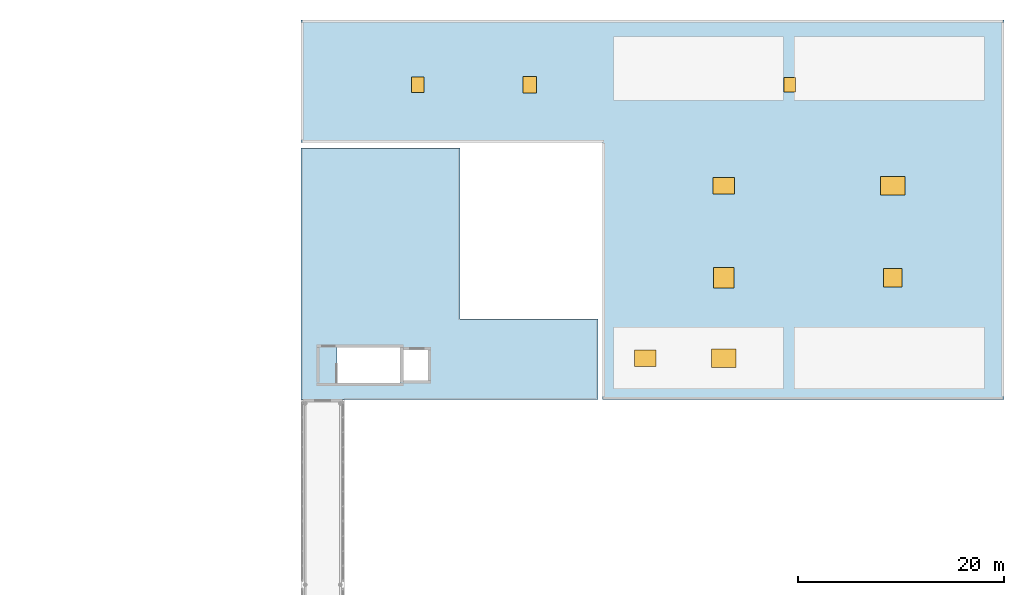
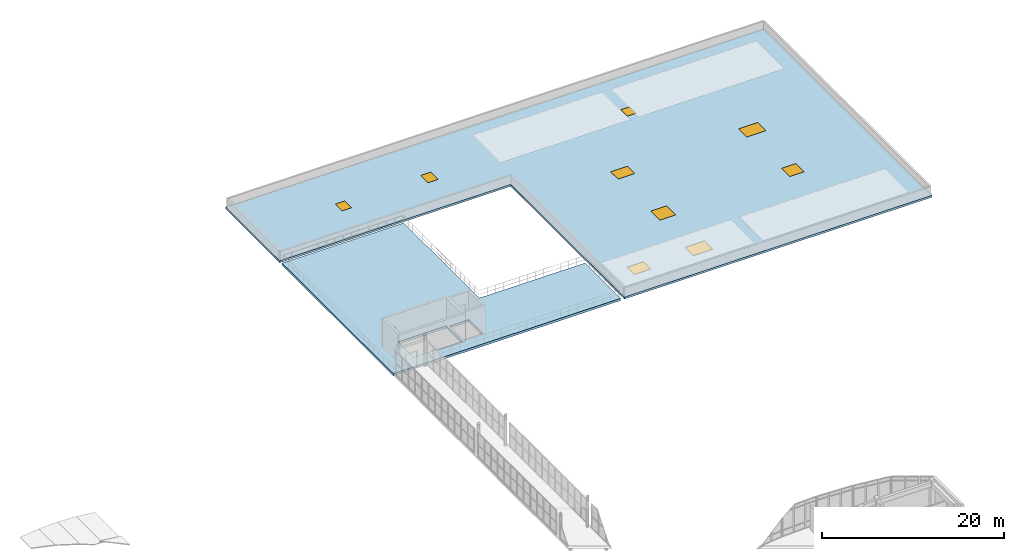
# One storey, part 40 of 52: 9 windows, 2 slabs, 9 openings.
"""IFC4 building model written with IfcOpenShell, lengths in metres."""

import ifcopenshell
import ifcopenshell.guid

model = None  # the IFC model being written
_history = None  # IfcOwnerHistory: only IFC2X3 demands one
_inside = {}  # id of a spatial element -> (the spatial element, [elements in it])
_under = {}  # id of a project, library or spatial element -> (it, [spatial elements below it])
_declared = {}  # id of a project -> (the project, [libraries it declares])
_typed = {}  # id of a type object -> (the type object, [elements of that type])
_made_of = {}  # id of a material, layer set ... -> (it, [elements and type objects made of it])


def new_model(schema):
    """Start an empty IFC model of exactly this schema.

    Asked for "IFC4X3", IfcOpenShell would pick the latest addendum, in which some entities
    have other attributes; the version numbers below select the first issue.
    IFC2X3 requires an IfcOwnerHistory on every rooted entity: one is made here for all.
    """
    global model, _history
    if schema == "IFC4X3":
        model = ifcopenshell.file(schema_version=(4, 3, 0, 0))
    else:
        model = ifcopenshell.file(schema=schema)
    _inside.clear()
    _under.clear()
    _declared.clear()
    _typed.clear()
    _made_of.clear()
    _history = None
    if model.schema == "IFC2X3":
        org = make("IfcOrganization", Name="unknown")
        user = make(
            "IfcPersonAndOrganization",
            ThePerson=make("IfcPerson", FamilyName="unknown"),
            TheOrganization=org,
        )
        app = make(
            "IfcApplication",
            ApplicationDeveloper=org,
            Version="unknown",
            ApplicationFullName="unknown",
            ApplicationIdentifier="unknown",
        )
        _history = make(
            "IfcOwnerHistory",
            OwningUser=user,
            OwningApplication=app,
            ChangeAction="ADDED",
            CreationDate=0,
        )
    return model


def make(cls, **values):
    """One entity of the class cls with the attributes given. An attribute that is None is left unset."""
    return model.create_entity(
        cls, **{name: value for name, value in values.items() if value is not None}
    )


def rooted(cls, **values):
    """An entity with a GlobalId (a new one), such as an element, a storey or a relation."""
    return make(cls, GlobalId=ifcopenshell.guid.new(), OwnerHistory=_history, **values)


def si_unit(unit_type, name, prefix=None):
    """IfcSIUnit, for example si_unit("LENGTHUNIT", "METRE", prefix="MILLI")."""
    return make("IfcSIUnit", UnitType=unit_type, Prefix=prefix, Name=name)


def assignment(units):
    """IfcUnitAssignment: the units of a project."""
    return None if units is None else make("IfcUnitAssignment", Units=units)


def point(xyz):
    """IfcCartesianPoint."""
    return None if xyz is None else make("IfcCartesianPoint", Coordinates=xyz)


def direction(xyz):
    """IfcDirection."""
    return None if xyz is None else make("IfcDirection", DirectionRatios=xyz)


def frame(location, z_axis=None, x_axis=None):
    """IfcAxis2Placement3D, a coordinate frame: its origin and axes. An axis left out is left unset."""
    return make(
        "IfcAxis2Placement3D",
        Location=point(location),
        Axis=direction(z_axis),
        RefDirection=direction(x_axis),
    )


def frame_2d(location, x_axis=None):
    """IfcAxis2Placement2D, a coordinate frame in the plane: its origin and x axis."""
    return make(
        "IfcAxis2Placement2D", Location=point(location), RefDirection=direction(x_axis)
    )


def origin():
    """The frame at (0, 0, 0) with its axes left unset."""
    return frame((0.0, 0.0, 0.0))


def origin_2d():
    """The frame at (0, 0) in the plane with its x axis left unset."""
    return frame_2d((0.0, 0.0))


def place(relative_to, where):
    """IfcLocalPlacement: puts the frame where relative to a parent placement (None: the world)."""
    return make(
        "IfcLocalPlacement", PlacementRelTo=relative_to, RelativePlacement=where
    )


def context(
    kind, dimensions, precision=None, world=None, true_north=None, identifier=None
):
    """IfcGeometricRepresentationContext, for example the 3D "Model" context."""
    return make(
        "IfcGeometricRepresentationContext",
        ContextIdentifier=identifier,
        ContextType=kind,
        CoordinateSpaceDimension=dimensions,
        Precision=precision,
        WorldCoordinateSystem=world,
        TrueNorth=true_north,
    )


def subcontext(parent, identifier, kind, view, scale=None):
    """IfcGeometricRepresentationSubContext, for example "Body" below "Model"."""
    return make(
        "IfcGeometricRepresentationSubContext",
        ContextIdentifier=identifier,
        ContextType=kind,
        ParentContext=parent,
        TargetScale=scale,
        TargetView=view,
    )


def project(units=None, contexts=None):
    """IfcProject with its units and contexts."""
    return rooted(
        "IfcProject",
        Name="project",
        RepresentationContexts=contexts,
        UnitsInContext=assignment(units),
    )


def spatial(cls, under=None, at=None, **own):
    """A site, building, storey or space (cls), placed at a placement, below another one or the project."""
    s = rooted(cls, ObjectPlacement=at, **own)
    if under is not None:
        _under.setdefault(under.id(), (under, []))[1].append(s)
    return s


def polyline(points):
    """IfcPolyline through the points."""
    return make("IfcPolyline", Points=[point(p) for p in points])


def profile(cls, at=None, kind="AREA", **sizes):
    """A parametric profile (cls). Its sizes go by their IFC names, for example OverallWidth=200.0."""
    return make(cls, ProfileType=kind, Position=at, **sizes)


def rectangle(**sizes):
    """IfcRectangleProfileDef."""
    return profile("IfcRectangleProfileDef", **sizes)


def outline(outer, holes=None, kind="AREA"):
    """IfcArbitraryClosedProfileDef: a profile drawn as a closed curve; with holes, ...WithVoids."""
    if holes is None:
        return make("IfcArbitraryClosedProfileDef", ProfileType=kind, OuterCurve=outer)
    return make(
        "IfcArbitraryProfileDefWithVoids",
        ProfileType=kind,
        OuterCurve=outer,
        InnerCurves=holes,
    )


def extrude(swept, where, along, depth):
    """IfcExtrudedAreaSolid: the profile swept, set in the frame where, extruded along a direction by depth."""
    return make(
        "IfcExtrudedAreaSolid",
        SweptArea=swept,
        Position=where,
        ExtrudedDirection=direction(along),
        Depth=depth,
    )


def shape(context_of_items, identifier, shape_type, items):
    """IfcShapeRepresentation: the items that make up one representation, for example the "Body"."""
    return make(
        "IfcShapeRepresentation",
        ContextOfItems=context_of_items,
        RepresentationIdentifier=identifier,
        RepresentationType=shape_type,
        Items=items,
    )


def material(Name=None, Category=None):
    """IfcMaterial."""
    return make("IfcMaterial", Name=Name, Category=Category)


def layer(
    of_material, thickness, ventilated=None, Name=None, Category=None, Priority=None
):
    """IfcMaterialLayer: one layer of a wall or slab, of a material (None: an air gap)."""
    return make(
        "IfcMaterialLayer",
        Material=of_material,
        LayerThickness=thickness,
        IsVentilated=ventilated,
        Name=Name,
        Category=Category,
        Priority=Priority,
    )


def layer_set(layers, Name=None):
    """IfcMaterialLayerSet."""
    return make("IfcMaterialLayerSet", MaterialLayers=layers, LayerSetName=Name)


def made_of(thing, what):
    """Note that an element or type object is made of a material, layer set ...; save() writes the relation."""
    if what is not None:
        _made_of.setdefault(what.id(), (what, []))[1].append(thing)
    return thing


def type_object(cls, material=None, **own):
    """A type object (cls), such as IfcWallType, which elements share."""
    return made_of(rooted(cls, **own), material)


def element(
    cls,
    number,
    at=None,
    inside=None,
    cuts=None,
    type_object=None,
    material=None,
    context=None,
    identifier="Body",
    shape_type=None,
    held_by="IfcProductDefinitionShape",
    body=None,
    shapes=None,
    **own,
):
    """One element of the class cls, such as IfcWall. Its Tag is "e" and its number.

    at: its placement. inside: the storey or other place that contains it. cuts: it is an
    opening in that element (IfcRelVoidsElement). A single representation is given by context,
    identifier, shape_type and body (its items); several are given by shapes. held_by: the class
    of the entity that holds the representations. save() writes the other relations.
    """
    e = rooted(cls, Tag="e%d" % number, ObjectPlacement=at, **own)
    if body is not None:
        shapes = [shape(context, identifier, shape_type, body)]
    if shapes is not None:
        e.Representation = make(held_by, Representations=shapes)
    if inside is not None:
        _inside.setdefault(inside.id(), (inside, []))[1].append(e)
    if cuts is not None:
        rooted(
            "IfcRelVoidsElement", RelatingBuildingElement=cuts, RelatedOpeningElement=e
        )
    if type_object is not None:
        _typed.setdefault(type_object.id(), (type_object, []))[1].append(e)
    return made_of(e, material)


def fill(opening, filler):
    """IfcRelFillsElement: the door or window that sits in an opening."""
    return rooted(
        "IfcRelFillsElement",
        RelatingOpeningElement=opening,
        RelatedBuildingElement=filler,
    )


def aggregate(whole, parts):
    """IfcRelAggregates: a whole, such as a stair, and the parts it consists of."""
    return rooted("IfcRelAggregates", RelatingObject=whole, RelatedObjects=parts)


def save(model, path):
    """Write the relations noted so far, then the file.

    IfcRelAggregates (storeys below a building ...), IfcRelContainedInSpatialStructure (elements
    in a storey), IfcRelDefinesByType, IfcRelAssociatesMaterial and IfcRelDeclares: one each for
    every whole, place, type object, material and project.
    """
    for whole, parts in _under.values():
        aggregate(whole, parts)
    for where, things in _inside.values():
        rooted(
            "IfcRelContainedInSpatialStructure",
            RelatedElements=things,
            RelatingStructure=where,
        )
    for kind, things in _typed.values():
        rooted("IfcRelDefinesByType", RelatedObjects=things, RelatingType=kind)
    for what, things in _made_of.values():
        rooted("IfcRelAssociatesMaterial", RelatedObjects=things, RelatingMaterial=what)
    for by, libraries in _declared.values():
        rooted("IfcRelDeclares", RelatingContext=by, RelatedDefinitions=libraries)
    model.write(path)


model = new_model("IFC4")

# Units and contexts
model_context = context("Model", 3, precision=1e-05, world=origin(), true_north=direction((0.0, 1.0)))
body_context = subcontext(model_context, "Body", "Model", "MODEL_VIEW")
ifc_project = project(units=[si_unit("LENGTHUNIT", "METRE"), si_unit("AREAUNIT", "SQUARE_METRE"), si_unit("VOLUMEUNIT", "CUBIC_METRE"), si_unit("PLANEANGLEUNIT", "RADIAN"), si_unit("MASSUNIT", "GRAM", prefix="KILO")], contexts=[model_context])

# Site, building, storey
site_placement = place(None, origin())
site = spatial("IfcSite", under=ifc_project, at=site_placement, CompositionType="ELEMENT")
building_placement = place(site_placement, origin())
building = spatial("IfcBuilding", under=site, at=building_placement, Name="Valcora Specialist Clinic", CompositionType="ELEMENT")
storey_placement = place(building_placement, frame((0.0, 0.0, 17.679931640625)))
storey = spatial("IfcBuildingStorey", under=building, at=storey_placement, Name="L04", CompositionType="ELEMENT", Elevation=17.679931640625)

# Slab, openings, windows
ifc_material_1 = material(Name="Concrete C40/50", Category="concrete")
ifc_layer_1 = layer(ifc_material_1, 0.27001953125)
ifc_layer_set_1 = layer_set([ifc_layer_1], Name="Concrete C40/50")
slab_type_1 = type_object("IfcSlabType", Name="TY-SL-RF270", PredefinedType="ROOF", material=ifc_layer_set_1)
slab_1_placement = place(storey_placement, frame((0.0, 0.0, -0.27001953125)))
slab_1 = element("IfcSlab", 1, at=slab_1_placement, inside=storey, type_object=slab_type_1, Name="V4 L04 East clinic roof SL-L04-093", PredefinedType="ROOF", context=body_context, shape_type="SweptSolid", body=[
    extrude(outline(polyline([(90.449951171875, 74.0), (129.39990234375, 74.0), (129.39990234375, 110.800048828125), (61.199951171875, 110.800048828125), (61.199951171875, 98.89990234375), (90.449951171875, 98.89990234375), (90.449951171875, 74.0)]), holes=[polyline([(93.550048828125, 77.199951171875), (95.64990234375, 77.199951171875), (95.64990234375, 78.800048828125), (93.550048828125, 78.800048828125), (93.550048828125, 77.199951171875)]), polyline([(101.0, 77.10009765625), (103.39990234375, 77.10009765625), (103.39990234375, 78.89990234375), (101.0, 78.89990234375), (101.0, 77.10009765625)]), polyline([(101.199951171875, 84.800048828125), (103.199951171875, 84.800048828125), (103.199951171875, 86.800048828125), (101.199951171875, 86.800048828125), (101.199951171875, 84.800048828125)]), polyline([(117.699951171875, 84.89990234375), (119.5, 84.89990234375), (119.5, 86.699951171875), (117.699951171875, 86.699951171875), (117.699951171875, 84.89990234375)]), polyline([(101.14990234375, 93.89990234375), (103.25, 93.89990234375), (103.25, 95.5), (101.14990234375, 95.5), (101.14990234375, 93.89990234375)]), polyline([(117.39990234375, 93.800048828125), (119.800048828125, 93.800048828125), (119.800048828125, 95.60009765625), (117.39990234375, 95.60009765625), (117.39990234375, 93.800048828125)]), polyline([(71.89990234375, 103.75), (73.10009765625, 103.75), (73.10009765625, 105.25), (71.89990234375, 105.25), (71.89990234375, 103.75)]), polyline([(82.75, 103.699951171875), (84.050048828125, 103.699951171875), (84.050048828125, 105.300048828125), (82.75, 105.300048828125), (82.75, 103.699951171875)]), polyline([(108.050048828125, 103.800048828125), (109.14990234375, 103.800048828125), (109.14990234375, 105.199951171875), (108.050048828125, 105.199951171875), (108.050048828125, 103.800048828125)])]), origin(), (0.0, 0.0, 1.0), 0.27001953125),
])
opening_1_placement = place(slab_1_placement, frame((94.60009765625, 78.0, -0.010009765625)))
opening_1 = element("IfcOpeningElement", 2, at=opening_1_placement, cuts=slab_1, Name="Opening SK-02", PredefinedType="OPENING", context=body_context, shape_type="SweptSolid", body=[
    extrude(rectangle(XDim=2.10009765625, YDim=1.60009765625, at=origin_2d()), origin(), (0.0, 0.0, 1.0), 0.2900390625),
])
opening_2_placement = place(slab_1_placement, frame((102.199951171875, 78.0, -0.010009765625)))
opening_2 = element("IfcOpeningElement", 3, at=opening_2_placement, cuts=slab_1, Name="Opening SK-03", PredefinedType="OPENING", context=body_context, shape_type="SweptSolid", body=[
    extrude(rectangle(XDim=2.39990234375, YDim=1.800048828125, at=origin_2d()), origin(), (0.0, 0.0, 1.0), 0.2900390625),
])
opening_3_placement = place(slab_1_placement, frame((102.199951171875, 85.800048828125, -0.010009765625)))
opening_3 = element("IfcOpeningElement", 4, at=opening_3_placement, cuts=slab_1, Name="Opening SK-04", PredefinedType="OPENING", context=body_context, shape_type="SweptSolid", body=[
    extrude(rectangle(XDim=2.0, YDim=2.0, at=origin_2d()), origin(), (0.0, 0.0, 1.0), 0.2900390625),
])
opening_4_placement = place(slab_1_placement, frame((118.60009765625, 85.800048828125, -0.010009765625)))
opening_4 = element("IfcOpeningElement", 5, at=opening_4_placement, cuts=slab_1, Name="Opening SK-01", PredefinedType="OPENING", context=body_context, shape_type="SweptSolid", body=[
    extrude(rectangle(XDim=1.800048828125, YDim=1.800048828125, at=origin_2d()), origin(), (0.0, 0.0, 1.0), 0.2900390625),
])
opening_5_placement = place(slab_1_placement, frame((102.199951171875, 94.699951171875, -0.010009765625)))
opening_5 = element("IfcOpeningElement", 6, at=opening_5_placement, cuts=slab_1, Name="Opening SK-02", PredefinedType="OPENING", context=body_context, shape_type="SweptSolid", body=[
    extrude(rectangle(XDim=2.10009765625, YDim=1.60009765625, at=origin_2d()), origin(), (0.0, 0.0, 1.0), 0.2900390625),
])
opening_6_placement = place(slab_1_placement, frame((118.60009765625, 94.699951171875, -0.010009765625)))
opening_6 = element("IfcOpeningElement", 7, at=opening_6_placement, cuts=slab_1, Name="Opening SK-03", PredefinedType="OPENING", context=body_context, shape_type="SweptSolid", body=[
    extrude(rectangle(XDim=2.39990234375, YDim=1.800048828125, at=origin_2d()), origin(), (0.0, 0.0, 1.0), 0.2900390625),
])
opening_7_placement = place(slab_1_placement, frame((72.5, 104.5, -0.010009765625)))
opening_7 = element("IfcOpeningElement", 8, at=opening_7_placement, cuts=slab_1, Name="Opening RH-02", PredefinedType="OPENING", context=body_context, shape_type="SweptSolid", body=[
    extrude(rectangle(XDim=1.199951171875, YDim=1.5, at=origin_2d()), origin(), (0.0, 0.0, 1.0), 0.2900390625),
])
opening_8_placement = place(slab_1_placement, frame((83.39990234375, 104.5, -0.010009765625)))
opening_8 = element("IfcOpeningElement", 9, at=opening_8_placement, cuts=slab_1, Name="Opening RH-03", PredefinedType="OPENING", context=body_context, shape_type="SweptSolid", body=[
    extrude(rectangle(XDim=1.300048828125, YDim=1.60009765625, at=origin_2d()), origin(), (0.0, 0.0, 1.0), 0.2900390625),
])
opening_9_placement = place(slab_1_placement, frame((108.60009765625, 104.5, -0.010009765625)))
opening_9 = element("IfcOpeningElement", 10, at=opening_9_placement, cuts=slab_1, Name="Opening RH-01", PredefinedType="OPENING", context=body_context, shape_type="SweptSolid", body=[
    extrude(rectangle(XDim=1.10009765625, YDim=1.39990234375, at=origin_2d()), origin(), (0.0, 0.0, 1.0), 0.2900390625),
])
ifc_material_2 = material(Name="Low-E Laminated Insulating Glass", Category="glass")
window_type_1 = type_object("IfcWindowType", Name="TY-RH-01", PartitioningType="SINGLE_PANEL", PredefinedType="LIGHTDOME", material=ifc_material_2)
window_1_placement = place(slab_1_placement, frame((108.60009765625, 104.5, 0.219970703125)))
window_1 = element("IfcWindow", 11, at=window_1_placement, inside=storey, type_object=window_type_1, Name="Roof access hatch RH-03", OverallHeight=1.39990234375, OverallWidth=1.10009765625, PartitioningType="SINGLE_PANEL", PredefinedType="LIGHTDOME", context=body_context, shape_type="SweptSolid", body=[
    extrude(rectangle(XDim=1.10009765625, YDim=1.39990234375, at=origin_2d()), origin(), (0.0, 0.0, 1.0), 0.050048828125),
])
fill(opening_9, window_1)
window_type_2 = type_object("IfcWindowType", Name="TY-RH-02", PartitioningType="SINGLE_PANEL", PredefinedType="LIGHTDOME", material=ifc_material_2)
window_2_placement = place(slab_1_placement, frame((72.5, 104.5, 0.219970703125)))
window_2 = element("IfcWindow", 12, at=window_2_placement, inside=storey, type_object=window_type_2, Name="Roof access hatch RH-01", OverallHeight=1.5, OverallWidth=1.199951171875, PartitioningType="SINGLE_PANEL", PredefinedType="LIGHTDOME", context=body_context, shape_type="SweptSolid", body=[
    extrude(rectangle(XDim=1.199951171875, YDim=1.5, at=origin_2d()), origin(), (0.0, 0.0, 1.0), 0.050048828125),
])
fill(opening_7, window_2)
window_type_3 = type_object("IfcWindowType", Name="TY-RH-03", PartitioningType="SINGLE_PANEL", PredefinedType="LIGHTDOME", material=ifc_material_2)
window_3_placement = place(slab_1_placement, frame((83.39990234375, 104.5, 0.219970703125)))
window_3 = element("IfcWindow", 13, at=window_3_placement, inside=storey, type_object=window_type_3, Name="Roof access hatch RH-02", OverallHeight=1.60009765625, OverallWidth=1.300048828125, PartitioningType="SINGLE_PANEL", PredefinedType="LIGHTDOME", context=body_context, shape_type="SweptSolid", body=[
    extrude(rectangle(XDim=1.300048828125, YDim=1.60009765625, at=origin_2d()), origin(), (0.0, 0.0, 1.0), 0.050048828125),
])
fill(opening_8, window_3)
window_type_4 = type_object("IfcWindowType", Name="TY-SK-01", PartitioningType="SINGLE_PANEL", PredefinedType="SKYLIGHT", material=ifc_material_2)
window_4_placement = place(slab_1_placement, frame((118.60009765625, 85.800048828125, 0.219970703125)))
window_4 = element("IfcWindow", 14, at=window_4_placement, inside=storey, type_object=window_type_4, Name="Daylight roof skylight SK-04", OverallHeight=1.800048828125, OverallWidth=1.800048828125, PartitioningType="SINGLE_PANEL", PredefinedType="SKYLIGHT", context=body_context, shape_type="SweptSolid", body=[
    extrude(rectangle(XDim=1.800048828125, YDim=1.800048828125, at=origin_2d()), origin(), (0.0, 0.0, 1.0), 0.050048828125),
])
fill(opening_4, window_4)
window_type_5 = type_object("IfcWindowType", Name="TY-SK-02", PartitioningType="SINGLE_PANEL", PredefinedType="SKYLIGHT", material=ifc_material_2)
window_5_placement = place(slab_1_placement, frame((94.60009765625, 78.0, 0.219970703125)))
window_5 = element("IfcWindow", 15, at=window_5_placement, inside=storey, type_object=window_type_5, Name="Daylight roof skylight SK-01", OverallHeight=1.60009765625, OverallWidth=2.10009765625, PartitioningType="SINGLE_PANEL", PredefinedType="SKYLIGHT", context=body_context, shape_type="SweptSolid", body=[
    extrude(rectangle(XDim=2.10009765625, YDim=1.60009765625, at=origin_2d()), origin(), (0.0, 0.0, 1.0), 0.050048828125),
])
fill(opening_1, window_5)
window_6_placement = place(slab_1_placement, frame((102.199951171875, 94.699951171875, 0.219970703125)))
window_6 = element("IfcWindow", 16, at=window_6_placement, inside=storey, type_object=window_type_5, Name="Daylight roof skylight SK-05", OverallHeight=1.60009765625, OverallWidth=2.10009765625, PartitioningType="SINGLE_PANEL", PredefinedType="SKYLIGHT", context=body_context, shape_type="SweptSolid", body=[
    extrude(rectangle(XDim=2.10009765625, YDim=1.60009765625, at=origin_2d()), origin(), (0.0, 0.0, 1.0), 0.050048828125),
])
fill(opening_5, window_6)
window_type_6 = type_object("IfcWindowType", Name="TY-SK-03", PartitioningType="SINGLE_PANEL", PredefinedType="SKYLIGHT", material=ifc_material_2)
window_7_placement = place(slab_1_placement, frame((102.199951171875, 78.0, 0.219970703125)))
window_7 = element("IfcWindow", 17, at=window_7_placement, inside=storey, type_object=window_type_6, Name="Daylight roof skylight SK-02", OverallHeight=1.800048828125, OverallWidth=2.39990234375, PartitioningType="SINGLE_PANEL", PredefinedType="SKYLIGHT", context=body_context, shape_type="SweptSolid", body=[
    extrude(rectangle(XDim=2.39990234375, YDim=1.800048828125, at=origin_2d()), origin(), (0.0, 0.0, 1.0), 0.050048828125),
])
fill(opening_2, window_7)
window_8_placement = place(slab_1_placement, frame((118.60009765625, 94.699951171875, 0.219970703125)))
window_8 = element("IfcWindow", 18, at=window_8_placement, inside=storey, type_object=window_type_6, Name="Daylight roof skylight SK-06", OverallHeight=1.800048828125, OverallWidth=2.39990234375, PartitioningType="SINGLE_PANEL", PredefinedType="SKYLIGHT", context=body_context, shape_type="SweptSolid", body=[
    extrude(rectangle(XDim=2.39990234375, YDim=1.800048828125, at=origin_2d()), origin(), (0.0, 0.0, 1.0), 0.050048828125),
])
fill(opening_6, window_8)
window_type_7 = type_object("IfcWindowType", Name="TY-SK-04", PartitioningType="SINGLE_PANEL", PredefinedType="SKYLIGHT", material=ifc_material_2)
window_9_placement = place(slab_1_placement, frame((102.199951171875, 85.800048828125, 0.219970703125)))
window_9 = element("IfcWindow", 19, at=window_9_placement, inside=storey, type_object=window_type_7, Name="Daylight roof skylight SK-03", OverallHeight=2.0, OverallWidth=2.0, PartitioningType="SINGLE_PANEL", PredefinedType="SKYLIGHT", context=body_context, shape_type="SweptSolid", body=[
    extrude(rectangle(XDim=2.0, YDim=2.0, at=origin_2d()), origin(), (0.0, 0.0, 1.0), 0.050048828125),
])
fill(opening_3, window_9)

# Slab
ifc_layer_2 = layer(ifc_material_1, 0.304931640625)
ifc_layer_set_2 = layer_set([ifc_layer_2], Name="Concrete C40/50")
slab_type_2 = type_object("IfcSlabType", Name="TY-SL-TER305", PredefinedType="FLOOR", material=ifc_layer_set_2)
slab_2_placement = place(storey_placement, frame((0.0, 0.0, -0.304931640625)))
element("IfcSlab", 20, at=slab_2_placement, inside=storey, type_object=slab_type_2, Name="V4 L04 planted roof garden SL-L04-074", PredefinedType="FLOOR", context=body_context, shape_type="SweptSolid", body=[
    extrude(outline(polyline([(61.199951171875, 74.0), (90.0, 74.0), (90.0, 81.800048828125), (76.60009765625, 81.800048828125), (76.60009765625, 98.39990234375), (61.199951171875, 98.39990234375), (61.199951171875, 74.0)]), holes=[polyline([(64.70068359375, 75.60009765625), (70.800048828125, 75.60009765625), (70.800048828125, 79.0), (64.70068359375, 79.0), (64.70068359375, 75.60009765625)]), polyline([(71.1201171875, 75.800048828125), (73.52001953125, 75.800048828125), (73.52001953125, 78.800048828125), (71.1201171875, 78.800048828125), (71.1201171875, 75.800048828125)])]), origin(), (0.0, 0.0, 1.0), 0.304931640625),
])

save(model, "model.ifc")
